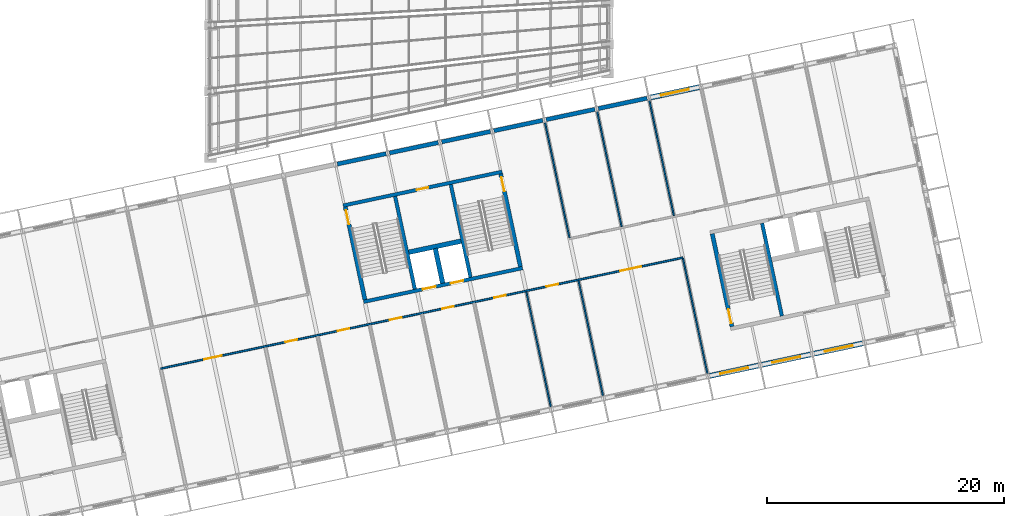
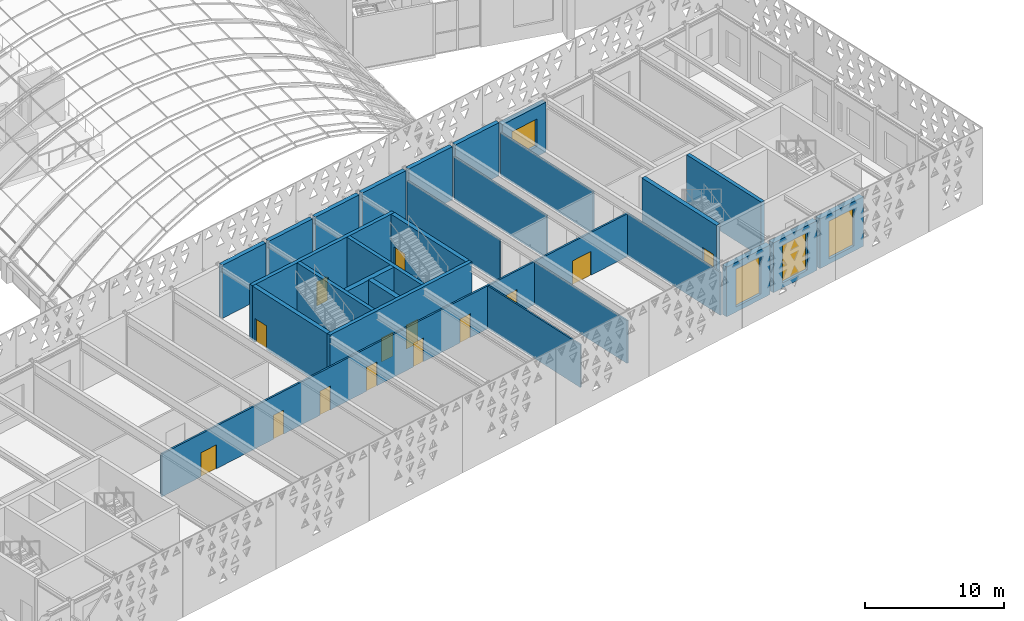
# One storey, part 132 of 182: 27 walls, 14 doors, 4 windows, 18 openings.
"""IFC4 building model written with IfcOpenShell, lengths in metres."""

from ifc_helpers import new_model, si_unit, direction, frame, frame_2d, origin, place, context, subcontext, project, spatial, rectangle, extrude, material, layer, layer_set, type_object, element, fill, save


model = new_model("IFC4")

# Units and contexts
model_context = context("Model", 3, precision=1e-05, world=origin(), true_north=direction((0.0, 1.0)))
body_context = subcontext(model_context, "Body", "Model", "MODEL_VIEW")
ifc_project = project(units=[si_unit("LENGTHUNIT", "METRE"), si_unit("AREAUNIT", "SQUARE_METRE"), si_unit("VOLUMEUNIT", "CUBIC_METRE"), si_unit("PLANEANGLEUNIT", "RADIAN"), si_unit("MASSUNIT", "GRAM", prefix="KILO")], contexts=[model_context])

# Site, building, storey
site_placement = place(None, origin())
site = spatial("IfcSite", under=ifc_project, at=site_placement, CompositionType="ELEMENT")
building_placement = place(site_placement, origin())
building = spatial("IfcBuilding", under=site, at=building_placement, Name="Okhra Congress Centre", CompositionType="ELEMENT")
storey_placement = place(building_placement, frame((0.0, 0.0, 7.199951171875)))
storey = spatial("IfcBuildingStorey", under=building, at=storey_placement, Name="L01", CompositionType="ELEMENT", Elevation=7.199951171875)

# Wall, opening, window
ifc_material_1 = material(Name="Insulated metal panel on steel stud (mineral wool, vapour barrier)", Category="steel")
ifc_layer_1 = layer(ifc_material_1, 0.449951171875)
ifc_layer_set_1 = layer_set([ifc_layer_1], Name="Insulated wall 450")
wall_type_1 = type_object("IfcWallType", Name="Insulated wall 450", PredefinedType="SOLIDWALL", material=ifc_layer_set_1)
wall_1_placement = place(storey_placement, frame((197.609375, 55.843994140625, 0.0), z_axis=(0.0, 0.0, 1.0), x_axis=(0.978143927149, 0.207928972925, 0.0)))
wall_1 = element("IfcWall", 1, at=wall_1_placement, inside=storey, type_object=wall_type_1, Name="External wall S32 L01", PredefinedType="SOLIDWALL", context=body_context, shape_type="SweptSolid", body=[
    extrude(rectangle(XDim=4.199951171875, YDim=0.449951171875, at=frame_2d((2.10009765625, 0.0))), origin(), (0.0, 0.0, 1.0), 4.35009765625),
])
opening_1_placement = place(wall_1_placement, frame((0.89990234375, 0.0, 0.449951171875)))
opening_1 = element("IfcOpeningElement", 2, at=opening_1_placement, cuts=wall_1, Name="Opening WN21", PredefinedType="OPENING", context=body_context, shape_type="SweptSolid", body=[
    extrude(rectangle(XDim=2.39990234375, YDim=3.300048828125, at=frame_2d((1.199951171875, 1.64990234375))), frame((0.0, 0.23486328125, 0.0), z_axis=(0.0, -1.0, 0.0), x_axis=(1.0, 0.0, 0.0)), (0.0, 0.0, 1.0), 0.469970703125),
])
ifc_material_2 = material(Name="Thermally broken aluminium frame, triple glazing", Category="aluminium")
window_type_1 = type_object("IfcWindowType", Name="Two-light window 2400x3300", PartitioningType="DOUBLE_PANEL_VERTICAL", PredefinedType="WINDOW", material=ifc_material_2)
window_1_placement = place(opening_1_placement, origin())
window_1 = element("IfcWindow", 3, at=window_1_placement, inside=storey, type_object=window_type_1, Name="BX.WIN.L01.32", OverallHeight=3.300048828125, OverallWidth=2.39990234375, PartitioningType="DOUBLE_PANEL_VERTICAL", PredefinedType="WINDOW", context=body_context, shape_type="SweptSolid", body=[
    extrude(rectangle(XDim=2.39990234375, YDim=3.300048828125, at=frame_2d((1.199951171875, 1.64990234375))), frame((0.0, 0.030029296875, 0.0), z_axis=(0.0, -1.0, 0.0), x_axis=(1.0, 0.0, 0.0)), (0.0, 0.0, 1.0), 0.06005859375),
])
fill(opening_1, window_1)

wall_2_placement = place(storey_placement, frame((202.010986328125, 56.77978515625, 0.0), z_axis=(0.0, 0.0, 1.0), x_axis=(0.978155748334, 0.207873355681, 0.0)))
wall_2 = element("IfcWall", 4, at=wall_2_placement, inside=storey, type_object=wall_type_1, Name="External wall S33 L01", PredefinedType="SOLIDWALL", context=body_context, shape_type="SweptSolid", body=[
    extrude(rectangle(XDim=4.199951171875, YDim=0.449951171875, at=frame_2d((2.10009765625, 0.0))), origin(), (0.0, 0.0, 1.0), 4.35009765625),
])
opening_2_placement = place(wall_2_placement, frame((0.89990234375, 0.0, 0.449951171875)))
opening_2 = element("IfcOpeningElement", 5, at=opening_2_placement, cuts=wall_2, Name="Opening WN21", PredefinedType="OPENING", context=body_context, shape_type="SweptSolid", body=[
    extrude(rectangle(XDim=2.39990234375, YDim=3.300048828125, at=frame_2d((1.199951171875, 1.64990234375))), frame((0.0, 0.23486328125, 0.0), z_axis=(0.0, -1.0, 0.0), x_axis=(1.0, 0.0, 0.0)), (0.0, 0.0, 1.0), 0.469970703125),
])
window_2_placement = place(opening_2_placement, origin())
window_2 = element("IfcWindow", 6, at=window_2_placement, inside=storey, type_object=window_type_1, Name="BX.WIN.L01.33", OverallHeight=3.300048828125, OverallWidth=2.39990234375, PartitioningType="DOUBLE_PANEL_VERTICAL", PredefinedType="WINDOW", context=body_context, shape_type="SweptSolid", body=[
    extrude(rectangle(XDim=2.39990234375, YDim=3.300048828125, at=frame_2d((1.199951171875, 1.64990234375))), frame((0.0, 0.030029296875, 0.0), z_axis=(0.0, -1.0, 0.0), x_axis=(1.0, 0.0, 0.0)), (0.0, 0.0, 1.0), 0.06005859375),
])
fill(opening_2, window_2)

wall_3_placement = place(storey_placement, frame((206.41259765625, 57.71533203125, 0.0), z_axis=(0.0, 0.0, 1.0), x_axis=(0.978143927149, 0.207928972925, 0.0)))
wall_3 = element("IfcWall", 7, at=wall_3_placement, inside=storey, type_object=wall_type_1, Name="External wall S34 L01", PredefinedType="SOLIDWALL", context=body_context, shape_type="SweptSolid", body=[
    extrude(rectangle(XDim=4.199951171875, YDim=0.449951171875, at=frame_2d((2.10009765625, 0.0))), origin(), (0.0, 0.0, 1.0), 4.35009765625),
])
opening_3_placement = place(wall_3_placement, frame((0.89990234375, 0.0, 0.449951171875)))
opening_3 = element("IfcOpeningElement", 8, at=opening_3_placement, cuts=wall_3, Name="Opening WN21", PredefinedType="OPENING", context=body_context, shape_type="SweptSolid", body=[
    extrude(rectangle(XDim=2.39990234375, YDim=3.300048828125, at=frame_2d((1.199951171875, 1.64990234375))), frame((0.0, 0.23486328125, 0.0), z_axis=(0.0, -1.0, 0.0), x_axis=(1.0, 0.0, 0.0)), (0.0, 0.0, 1.0), 0.469970703125),
])
window_3_placement = place(opening_3_placement, origin())
window_3 = element("IfcWindow", 9, at=window_3_placement, inside=storey, type_object=window_type_1, Name="BX.WIN.L01.34", OverallHeight=3.300048828125, OverallWidth=2.39990234375, PartitioningType="DOUBLE_PANEL_VERTICAL", PredefinedType="WINDOW", context=body_context, shape_type="SweptSolid", body=[
    extrude(rectangle(XDim=2.39990234375, YDim=3.300048828125, at=frame_2d((1.199951171875, 1.64990234375))), frame((0.0, 0.030029296875, 0.0), z_axis=(0.0, -1.0, 0.0), x_axis=(1.0, 0.0, 0.0)), (0.0, 0.0, 1.0), 0.06005859375),
])
fill(opening_3, window_3)

wall_4_placement = place(storey_placement, frame((192.619384765625, 79.319580078125, 0.0), z_axis=(0.0, 0.0, 1.0), x_axis=(0.978143927149, 0.207928972925, 0.0)))
wall_4 = element("IfcWall", 10, at=wall_4_placement, inside=storey, type_object=wall_type_1, Name="External wall N32 L01", PredefinedType="SOLIDWALL", context=body_context, shape_type="SweptSolid", body=[
    extrude(rectangle(XDim=4.199951171875, YDim=0.449951171875, at=frame_2d((2.10009765625, 0.0))), origin(), (0.0, 0.0, 1.0), 4.35009765625),
])
opening_4_placement = place(wall_4_placement, frame((0.89990234375, 0.0, 0.89990234375)))
opening_4 = element("IfcOpeningElement", 11, at=opening_4_placement, cuts=wall_4, Name="Opening WN22", PredefinedType="OPENING", context=body_context, shape_type="SweptSolid", body=[
    extrude(rectangle(XDim=2.39990234375, YDim=2.39990234375, at=frame_2d((1.199951171875, 1.199951171875))), frame((0.0, 0.23486328125, 0.0), z_axis=(0.0, -1.0, 0.0), x_axis=(1.0, 0.0, 0.0)), (0.0, 0.0, 1.0), 0.469970703125),
])
window_type_2 = type_object("IfcWindowType", Name="Fixed window 2400x2400", PartitioningType="SINGLE_PANEL", PredefinedType="WINDOW", material=ifc_material_2)
window_4_placement = place(opening_4_placement, origin())
window_4 = element("IfcWindow", 12, at=window_4_placement, inside=storey, type_object=window_type_2, Name="BX.WIN.L01.59", OverallHeight=2.39990234375, OverallWidth=2.39990234375, PartitioningType="SINGLE_PANEL", PredefinedType="WINDOW", context=body_context, shape_type="SweptSolid", body=[
    extrude(rectangle(XDim=2.39990234375, YDim=2.39990234375, at=frame_2d((1.199951171875, 1.199951171875))), frame((0.0, 0.030029296875, 0.0), z_axis=(0.0, -1.0, 0.0), x_axis=(1.0, 0.0, 0.0)), (0.0, 0.0, 1.0), 0.06005859375),
])
fill(opening_4, window_4)

# Walls
ifc_material_3 = material(Name="Gypsum board on steel studs", Category="steel")
ifc_layer_2 = layer(ifc_material_3, 0.125)
ifc_layer_set_2 = layer_set([ifc_layer_2], Name="Partition 125")
wall_type_2 = type_object("IfcWallType", Name="Partition 125", PredefinedType="PARTITIONING", material=ifc_layer_set_2)
for number, where, z_axis, x_axis, name in (
    (13, (184.210693359375, 53.22607421875, 0.0), (0.0, 0.0, 1.0), (-0.207904355568, 0.978149159861, 0.0), "Partition S L01"),
    (14, (188.612548828125, 54.161865234375, 0.0), (0.0, 0.0, 1.0), (-0.207932893358, 0.978143093754, 0.0), "Partition S L01"),
    (15, (197.415771484375, 56.032958984375, 0.0), (0.0, 0.0, 1.0), (-0.207904355568, 0.978149159861, 0.0), "Partition S L01"),
):
    element("IfcWall", number, at=place(storey_placement, frame(where, z_axis=z_axis, x_axis=x_axis)), inside=storey, type_object=wall_type_2, Name=name, PredefinedType="PARTITIONING", context=body_context, shape_type="SweptSolid", body=[
        extrude(rectangle(XDim=9.925048828125, YDim=0.125, at=frame_2d((4.96240234375, 0.0))), origin(), (0.0, 0.0, 1.0), 3.75),
    ])
wall_5_placement = place(storey_placement, frame((183.716064453125, 77.197265625, 0.0), z_axis=(0.0, 0.0, 1.0), x_axis=(0.207927890391, -0.978144157268, 0.0)))
element("IfcWall", 16, at=wall_5_placement, inside=storey, type_object=wall_type_2, Name="Partition N L01", PredefinedType="PARTITIONING", context=body_context, shape_type="SweptSolid", body=[
    extrude(rectangle(XDim=9.92529296875, YDim=0.125, at=frame_2d((4.962646484375, 0.0))), origin(), (0.0, 0.0, 1.0), 3.75),
])
ifc_layer_3 = layer(ifc_material_3, 0.125)
ifc_layer_set_3 = layer_set([ifc_layer_3], Name="Partition 125 EI 45")
wall_type_3 = type_object("IfcWallType", Name="Partition 125 EI 45", PredefinedType="PARTITIONING", material=ifc_layer_set_3)
wall_6_placement = place(storey_placement, frame((188.117919921875, 78.1328125, 0.0), z_axis=(0.0, 0.0, 1.0), x_axis=(0.207904355568, -0.978149159861, 0.0)))
element("IfcWall", 17, at=wall_6_placement, inside=storey, type_object=wall_type_3, Name="Partition N L01", PredefinedType="PARTITIONING", context=body_context, shape_type="SweptSolid", body=[
    extrude(rectangle(XDim=9.925048828125, YDim=0.125, at=frame_2d((4.96240234375, 0.0))), origin(), (0.0, 0.0, 1.0), 3.75),
])
wall_7_placement = place(storey_placement, frame((192.51953125, 79.068359375, 0.0), z_axis=(0.0, 0.0, 1.0), x_axis=(0.20790935802, -0.978148096582, 0.0)))
element("IfcWall", 18, at=wall_7_placement, inside=storey, type_object=wall_type_3, Name="Partition N L01", PredefinedType="PARTITIONING", context=body_context, shape_type="SweptSolid", body=[
    extrude(rectangle(XDim=9.9248046875, YDim=0.125, at=frame_2d((4.96240234375, 0.0))), origin(), (0.0, 0.0, 1.0), 3.75),
])

# Wall, openings, doors
ifc_layer_4 = layer(ifc_material_3, 0.14990234375)
ifc_layer_set_4 = layer_set([ifc_layer_4], Name="Partition 150 EI 15")
wall_type_4 = type_object("IfcWallType", Name="Partition 150 EI 15", PredefinedType="PARTITIONING", material=ifc_layer_set_4)
wall_8_placement = place(storey_placement, frame((151.320068359375, 56.45849609375, 0.0), z_axis=(0.0, 0.0, 1.0), x_axis=(0.97814787394, 0.207910405482, 0.0)))
wall_8 = element("IfcWall", 19, at=wall_8_placement, inside=storey, type_object=wall_type_4, Name="Corridor wall S2 L01", PredefinedType="PARTITIONING", context=body_context, shape_type="SweptSolid", body=[
    extrude(rectangle(XDim=45.0, YDim=0.14990234375, at=frame_2d((22.5, 0.0))), origin(), (0.0, 0.0, 1.0), 3.75),
])
opening_5_placement = place(wall_8_placement, frame((3.75, 0.0, 0.0)))
opening_5 = element("IfcOpeningElement", 20, at=opening_5_placement, cuts=wall_8, Name="Opening L01-127", PredefinedType="OPENING", context=body_context, shape_type="SweptSolid", body=[
    extrude(rectangle(XDim=1.5, YDim=2.10009765625, at=frame_2d((0.75, 1.050048828125))), frame((0.0, 0.0849609375, 0.0), z_axis=(0.0, -1.0, 0.0), x_axis=(1.0, 0.0, 0.0)), (0.0, 0.0, 1.0), 0.169921875),
])
opening_6_placement = place(wall_8_placement, frame((10.75, 0.0, 0.0)))
opening_6 = element("IfcOpeningElement", 21, at=opening_6_placement, cuts=wall_8, Name="Opening L01-128", PredefinedType="OPENING", context=body_context, shape_type="SweptSolid", body=[
    extrude(rectangle(XDim=1.0, YDim=2.10009765625, at=frame_2d((0.5, 1.050048828125))), frame((0.0, 0.0849609375, 0.0), z_axis=(0.0, -1.0, 0.0), x_axis=(1.0, 0.0, 0.0)), (0.0, 0.0, 1.0), 0.169921875),
])
opening_7_placement = place(wall_8_placement, frame((15.25, 0.0, 0.0)))
opening_7 = element("IfcOpeningElement", 22, at=opening_7_placement, cuts=wall_8, Name="Opening L01-129", PredefinedType="OPENING", context=body_context, shape_type="SweptSolid", body=[
    extrude(rectangle(XDim=1.0, YDim=2.10009765625, at=frame_2d((0.5, 1.050048828125))), frame((0.0, 0.0849609375, 0.0), z_axis=(0.0, -1.0, 0.0), x_axis=(1.0, 0.0, 0.0)), (0.0, 0.0, 1.0), 0.169921875),
])
opening_8_placement = place(wall_8_placement, frame((19.75, 0.0, 0.0)))
opening_8 = element("IfcOpeningElement", 23, at=opening_8_placement, cuts=wall_8, Name="Opening L01-130", PredefinedType="OPENING", context=body_context, shape_type="SweptSolid", body=[
    extrude(rectangle(XDim=1.0, YDim=2.10009765625, at=frame_2d((0.5, 1.050048828125))), frame((0.0, 0.0849609375, 0.0), z_axis=(0.0, -1.0, 0.0), x_axis=(1.0, 0.0, 0.0)), (0.0, 0.0, 1.0), 0.169921875),
])
opening_9_placement = place(wall_8_placement, frame((24.25, 0.0, 0.0)))
opening_9 = element("IfcOpeningElement", 24, at=opening_9_placement, cuts=wall_8, Name="Opening L01-131", PredefinedType="OPENING", context=body_context, shape_type="SweptSolid", body=[
    extrude(rectangle(XDim=1.0, YDim=2.10009765625, at=frame_2d((0.5, 1.050048828125))), frame((0.0, 0.0849609375, 0.0), z_axis=(0.0, -1.0, 0.0), x_axis=(1.0, 0.0, 0.0)), (0.0, 0.0, 1.0), 0.169921875),
])
opening_10_placement = place(wall_8_placement, frame((28.75, 0.0, 0.0)))
opening_10 = element("IfcOpeningElement", 25, at=opening_10_placement, cuts=wall_8, Name="Opening L01-132", PredefinedType="OPENING", context=body_context, shape_type="SweptSolid", body=[
    extrude(rectangle(XDim=1.0, YDim=2.10009765625, at=frame_2d((0.5, 1.050048828125))), frame((0.0, 0.0849609375, 0.0), z_axis=(0.0, -1.0, 0.0), x_axis=(1.0, 0.0, 0.0)), (0.0, 0.0, 1.0), 0.169921875),
])
opening_11_placement = place(wall_8_placement, frame((33.25, 0.0, 0.0)))
opening_11 = element("IfcOpeningElement", 26, at=opening_11_placement, cuts=wall_8, Name="Opening L01-133", PredefinedType="OPENING", context=body_context, shape_type="SweptSolid", body=[
    extrude(rectangle(XDim=1.0, YDim=2.10009765625, at=frame_2d((0.5, 1.050048828125))), frame((0.0, 0.0849609375, 0.0), z_axis=(0.0, -1.0, 0.0), x_axis=(1.0, 0.0, 0.0)), (0.0, 0.0, 1.0), 0.169921875),
])
opening_12_placement = place(wall_8_placement, frame((39.60009765625, 0.0, 0.0)))
opening_12 = element("IfcOpeningElement", 27, at=opening_12_placement, cuts=wall_8, Name="Opening L01-134", PredefinedType="OPENING", context=body_context, shape_type="SweptSolid", body=[
    extrude(rectangle(XDim=1.800048828125, YDim=2.10009765625, at=frame_2d((0.89990234375, 1.050048828125))), frame((0.0, 0.0849609375, 0.0), z_axis=(0.0, -1.0, 0.0), x_axis=(1.0, 0.0, 0.0)), (0.0, 0.0, 1.0), 0.169921875),
])
ifc_material_4 = material(Name="Timber door leaves in steel frame", Category="steel")
door_type_1 = type_object("IfcDoorType", Name="Double swing door 1500x2100", OperationType="NOTDEFINED", PredefinedType="DOOR", material=ifc_material_4)
door_1_placement = place(opening_5_placement, origin())
door_1 = element("IfcDoor", 28, at=door_1_placement, inside=storey, type_object=door_type_1, Name="Door L01-127", OperationType="DOUBLE_DOOR_SINGLE_SWING", OverallHeight=2.10009765625, OverallWidth=1.5, PredefinedType="DOOR", context=body_context, shape_type="SweptSolid", body=[
    extrude(rectangle(XDim=1.5, YDim=2.10009765625, at=frame_2d((0.75, 1.050048828125))), frame((0.0, 0.02490234375, 0.0), z_axis=(0.0, -1.0, 0.0), x_axis=(1.0, 0.0, 0.0)), (0.0, 0.0, 1.0), 0.050048828125),
])
fill(opening_5, door_1)
door_type_2 = type_object("IfcDoorType", Name="Double swing door 1800x2100", OperationType="NOTDEFINED", PredefinedType="DOOR", material=ifc_material_4)
door_2_placement = place(opening_12_placement, origin())
door_2 = element("IfcDoor", 29, at=door_2_placement, inside=storey, type_object=door_type_2, Name="Door L01-134", OperationType="DOUBLE_DOOR_SINGLE_SWING", OverallHeight=2.10009765625, OverallWidth=1.800048828125, PredefinedType="DOOR", context=body_context, shape_type="SweptSolid", body=[
    extrude(rectangle(XDim=1.800048828125, YDim=2.10009765625, at=frame_2d((0.89990234375, 1.050048828125))), frame((0.0, 0.02490234375, 0.0), z_axis=(0.0, -1.0, 0.0), x_axis=(1.0, 0.0, 0.0)), (0.0, 0.0, 1.0), 0.050048828125),
])
fill(opening_12, door_2)
ifc_material_5 = material(Name="Timber door leaf in steel frame", Category="steel")
door_type_3 = type_object("IfcDoorType", Name="Single swing door 1000x2100", OperationType="NOTDEFINED", PredefinedType="DOOR", material=ifc_material_5)
door_3_placement = place(opening_6_placement, frame((1.0, 0.0, 0.0), z_axis=(0.0, 0.0, 1.0), x_axis=(-1.0, 0.0, 0.0)))
door_3 = element("IfcDoor", 30, at=door_3_placement, inside=storey, type_object=door_type_3, Name="Door L01-128", OperationType="SINGLE_SWING_LEFT", OverallHeight=2.10009765625, OverallWidth=1.0, PredefinedType="DOOR", context=body_context, shape_type="SweptSolid", body=[
    extrude(rectangle(XDim=1.0, YDim=2.10009765625, at=frame_2d((0.5, 1.050048828125))), frame((0.0, 0.02490234375, 0.0), z_axis=(0.0, -1.0, 0.0), x_axis=(1.0, 0.0, 0.0)), (0.0, 0.0, 1.0), 0.050048828125),
])
fill(opening_6, door_3)
door_4_placement = place(opening_7_placement, frame((1.0, 0.0, 0.0), z_axis=(0.0, 0.0, 1.0), x_axis=(-1.0, 0.0, 0.0)))
door_4 = element("IfcDoor", 31, at=door_4_placement, inside=storey, type_object=door_type_3, Name="Door L01-129", OperationType="SINGLE_SWING_RIGHT", OverallHeight=2.10009765625, OverallWidth=1.0, PredefinedType="DOOR", context=body_context, shape_type="SweptSolid", body=[
    extrude(rectangle(XDim=1.0, YDim=2.10009765625, at=frame_2d((0.5, 1.050048828125))), frame((0.0, 0.02490234375, 0.0), z_axis=(0.0, -1.0, 0.0), x_axis=(1.0, 0.0, 0.0)), (0.0, 0.0, 1.0), 0.050048828125),
])
fill(opening_7, door_4)
door_5_placement = place(opening_8_placement, frame((1.0, 0.0, 0.0), z_axis=(0.0, 0.0, 1.0), x_axis=(-1.0, 0.0, 0.0)))
door_5 = element("IfcDoor", 32, at=door_5_placement, inside=storey, type_object=door_type_3, Name="Door L01-130", OperationType="SINGLE_SWING_LEFT", OverallHeight=2.10009765625, OverallWidth=1.0, PredefinedType="DOOR", context=body_context, shape_type="SweptSolid", body=[
    extrude(rectangle(XDim=1.0, YDim=2.10009765625, at=frame_2d((0.5, 1.050048828125))), frame((0.0, 0.02490234375, 0.0), z_axis=(0.0, -1.0, 0.0), x_axis=(1.0, 0.0, 0.0)), (0.0, 0.0, 1.0), 0.050048828125),
])
fill(opening_8, door_5)
door_6_placement = place(opening_9_placement, frame((1.0, 0.0, 0.0), z_axis=(0.0, 0.0, 1.0), x_axis=(-1.0, 0.0, 0.0)))
door_6 = element("IfcDoor", 33, at=door_6_placement, inside=storey, type_object=door_type_3, Name="Door L01-131", OperationType="SINGLE_SWING_RIGHT", OverallHeight=2.10009765625, OverallWidth=1.0, PredefinedType="DOOR", context=body_context, shape_type="SweptSolid", body=[
    extrude(rectangle(XDim=1.0, YDim=2.10009765625, at=frame_2d((0.5, 1.050048828125))), frame((0.0, 0.02490234375, 0.0), z_axis=(0.0, -1.0, 0.0), x_axis=(1.0, 0.0, 0.0)), (0.0, 0.0, 1.0), 0.050048828125),
])
fill(opening_9, door_6)
door_7_placement = place(opening_10_placement, frame((1.0, 0.0, 0.0), z_axis=(0.0, 0.0, 1.0), x_axis=(-1.0, 0.0, 0.0)))
door_7 = element("IfcDoor", 34, at=door_7_placement, inside=storey, type_object=door_type_3, Name="Door L01-132", OperationType="SINGLE_SWING_LEFT", OverallHeight=2.10009765625, OverallWidth=1.0, PredefinedType="DOOR", context=body_context, shape_type="SweptSolid", body=[
    extrude(rectangle(XDim=1.0, YDim=2.10009765625, at=frame_2d((0.5, 1.050048828125))), frame((0.0, 0.02490234375, 0.0), z_axis=(0.0, -1.0, 0.0), x_axis=(1.0, 0.0, 0.0)), (0.0, 0.0, 1.0), 0.050048828125),
])
fill(opening_10, door_7)
door_8_placement = place(opening_11_placement, frame((1.0, 0.0, 0.0), z_axis=(0.0, 0.0, 1.0), x_axis=(-1.0, 0.0, 0.0)))
door_8 = element("IfcDoor", 35, at=door_8_placement, inside=storey, type_object=door_type_3, Name="Door L01-133", OperationType="SINGLE_SWING_RIGHT", OverallHeight=2.10009765625, OverallWidth=1.0, PredefinedType="DOOR", context=body_context, shape_type="SweptSolid", body=[
    extrude(rectangle(XDim=1.0, YDim=2.10009765625, at=frame_2d((0.5, 1.050048828125))), frame((0.0, 0.02490234375, 0.0), z_axis=(0.0, -1.0, 0.0), x_axis=(1.0, 0.0, 0.0)), (0.0, 0.0, 1.0), 0.050048828125),
])
fill(opening_11, door_8)

# Wall, opening, door
ifc_material_6 = material(Name="Concrete C35/45", Category="concrete")
ifc_layer_5 = layer(ifc_material_6, 0.300048828125)
ifc_layer_set_5 = layer_set([ifc_layer_5], Name="RC core wall 300 REI 120 C35/45")
wall_type_5 = type_object("IfcWallType", Name="RC core wall 300 REI 120 C35/45", PredefinedType="SHEAR", material=ifc_layer_set_5)
wall_9_placement = place(storey_placement, frame((166.69775390625, 70.2060546875, 0.0), z_axis=(0.0, 0.0, 1.0), x_axis=(0.978147662755, 0.20791139903, 0.0)))
wall_9 = element("IfcWall", 36, at=wall_9_placement, inside=storey, type_object=wall_type_5, Name="BX.WALL.L01.K4S", PredefinedType="SHEAR", context=body_context, shape_type="SweptSolid", body=[
    extrude(rectangle(XDim=13.699951171875, YDim=0.300048828125, at=frame_2d((6.85009765625, 0.0))), origin(), (0.0, 0.0, 1.0), 4.800048828125),
])
opening_13_placement = place(wall_9_placement, frame((6.35009765625, 0.0, 0.0)))
opening_13 = element("IfcOpeningElement", 37, at=opening_13_placement, cuts=wall_9, Name="Opening L01-116", PredefinedType="OPENING", context=body_context, shape_type="SweptSolid", body=[
    extrude(rectangle(XDim=1.0, YDim=2.10009765625, at=frame_2d((0.5, 1.050048828125))), frame((0.0, 0.159912109375, 0.0), z_axis=(0.0, -1.0, 0.0), x_axis=(1.0, 0.0, 0.0)), (0.0, 0.0, 1.0), 0.320068359375),
])
ifc_material_7 = material(Name="Steel fire door leaf in steel frame, intumescent seals", Category="steel")
door_type_4 = type_object("IfcDoorType", Name="Steel fire door 1000x2100 EI 30", OperationType="NOTDEFINED", PredefinedType="DOOR", material=ifc_material_7)
door_9_placement = place(opening_13_placement, frame((1.0, 0.0, 0.0), z_axis=(0.0, 0.0, 1.0), x_axis=(-1.0, 0.0, 0.0)))
door_9 = element("IfcDoor", 38, at=door_9_placement, inside=storey, type_object=door_type_4, Name="Door L01-116", OperationType="SINGLE_SWING_LEFT", OverallHeight=2.10009765625, OverallWidth=1.0, PredefinedType="DOOR", context=body_context, shape_type="SweptSolid", body=[
    extrude(rectangle(XDim=1.0, YDim=2.10009765625, at=frame_2d((0.5, 1.050048828125))), frame((0.0, 0.02490234375, 0.0), z_axis=(0.0, -1.0, 0.0), x_axis=(1.0, 0.0, 0.0)), (0.0, 0.0, 1.0), 0.050048828125),
])
fill(opening_13, door_9)

# Wall, openings, doors
wall_10_placement = place(storey_placement, frame((168.42333984375, 62.08740234375, 0.0), z_axis=(0.0, 0.0, 1.0), x_axis=(0.978147662755, 0.20791139903, 0.0)))
wall_10 = element("IfcWall", 39, at=wall_10_placement, inside=storey, type_object=wall_type_5, Name="BX.WALL.L01.K4T", PredefinedType="SHEAR", context=body_context, shape_type="SweptSolid", body=[
    extrude(rectangle(XDim=13.699951171875, YDim=0.300048828125, at=frame_2d((6.85009765625, 0.0))), origin(), (0.0, 0.0, 1.0), 4.800048828125),
])
opening_14_placement = place(wall_10_placement, frame((5.10009765625, 0.0, 0.0)))
opening_14 = element("IfcOpeningElement", 40, at=opening_14_placement, cuts=wall_10, Name="Opening L01-112", PredefinedType="OPENING", context=body_context, shape_type="SweptSolid", body=[
    extrude(rectangle(XDim=1.10009765625, YDim=2.10009765625, at=frame_2d((0.550048828125, 1.050048828125))), frame((0.0, 0.159912109375, 0.0), z_axis=(0.0, -1.0, 0.0), x_axis=(1.0, 0.0, 0.0)), (0.0, 0.0, 1.0), 0.320068359375),
])
opening_15_placement = place(wall_10_placement, frame((7.5, 0.0, 0.0)))
opening_15 = element("IfcOpeningElement", 41, at=opening_15_placement, cuts=wall_10, Name="Opening L01-113", PredefinedType="OPENING", context=body_context, shape_type="SweptSolid", body=[
    extrude(rectangle(XDim=1.10009765625, YDim=2.10009765625, at=frame_2d((0.550048828125, 1.050048828125))), frame((0.0, 0.159912109375, 0.0), z_axis=(0.0, -1.0, 0.0), x_axis=(1.0, 0.0, 0.0)), (0.0, 0.0, 1.0), 0.320068359375),
])
ifc_material_8 = material(Name="Stainless steel sliding landing door leaves", Category="steel")
door_type_5 = type_object("IfcDoorType", Name="Lift landing door 1100x2100 EI 30", OperationType="DOUBLE_DOOR_SLIDING", PredefinedType="DOOR", material=ifc_material_8)
door_10_placement = place(opening_14_placement, frame((1.10009765625, 0.0, 0.0), z_axis=(0.0, 0.0, 1.0), x_axis=(-1.0, 0.0, 0.0)))
door_10 = element("IfcDoor", 42, at=door_10_placement, inside=storey, type_object=door_type_5, Name="Door L01-112", OperationType="DOUBLE_DOOR_SLIDING", OverallHeight=2.10009765625, OverallWidth=1.10009765625, PredefinedType="DOOR", context=body_context, shape_type="SweptSolid", body=[
    extrude(rectangle(XDim=1.10009765625, YDim=2.10009765625, at=frame_2d((0.550048828125, 1.050048828125))), frame((0.0, 0.02490234375, 0.0), z_axis=(0.0, -1.0, 0.0), x_axis=(1.0, 0.0, 0.0)), (0.0, 0.0, 1.0), 0.050048828125),
])
fill(opening_14, door_10)
door_11_placement = place(opening_15_placement, frame((1.10009765625, 0.0, 0.0), z_axis=(0.0, 0.0, 1.0), x_axis=(-1.0, 0.0, 0.0)))
door_11 = element("IfcDoor", 43, at=door_11_placement, inside=storey, type_object=door_type_5, Name="Door L01-113", OperationType="DOUBLE_DOOR_SLIDING", OverallHeight=2.10009765625, OverallWidth=1.10009765625, PredefinedType="DOOR", context=body_context, shape_type="SweptSolid", body=[
    extrude(rectangle(XDim=1.10009765625, YDim=2.10009765625, at=frame_2d((0.550048828125, 1.050048828125))), frame((0.0, 0.02490234375, 0.0), z_axis=(0.0, -1.0, 0.0), x_axis=(1.0, 0.0, 0.0)), (0.0, 0.0, 1.0), 0.050048828125),
])
fill(opening_15, door_11)

# Walls
for number, where, z_axis, x_axis, name in (
    (44, (171.081787109375, 70.984619140625, 0.0), (0.0, 0.0, 1.0), (0.207915693476, -0.978146749934, 0.0), "BX.WALL.L01.K4P1"),
    (45, (175.77685546875, 71.982666015625, 0.0), (0.0, 0.0, 1.0), (0.207915693476, -0.978146749934, 0.0), "BX.WALL.L01.K4P2"),
    (46, (203.6923828125, 60.894287109375, 0.0), (0.0, 0.0, 1.0), (-0.207915693476, 0.978146749934, 0.0), "BX.WALL.L01.K5P1"),
):
    element("IfcWall", number, at=place(storey_placement, frame(where, z_axis=z_axis, x_axis=x_axis)), inside=storey, type_object=wall_type_5, Name=name, PredefinedType="SHEAR", context=body_context, shape_type="SweptSolid", body=[
        extrude(rectangle(XDim=8.0, YDim=0.300048828125, at=frame_2d((4.0, 0.0))), origin(), (0.0, 0.0, 1.0), 4.800048828125),
    ])
ifc_layer_6 = layer(ifc_material_6, 0.39990234375)
ifc_layer_set_6 = layer_set([ifc_layer_6], Name="RC core wall 400 REI 120 C35/45")
wall_type_6 = type_object("IfcWallType", Name="RC core wall 400 REI 120 C35/45", PredefinedType="SHEAR", material=ifc_layer_set_6)
wall_11_placement = place(storey_placement, frame((174.46875, 66.5927734375, 0.0), z_axis=(0.0, 0.0, 1.0), x_axis=(0.207933702079, -0.978142921837, 0.0)))
element("IfcWall", 47, at=wall_11_placement, inside=storey, type_object=wall_type_6, Name="BX.WALL.L01.K4D", PredefinedType="SHEAR", context=body_context, shape_type="SweptSolid", body=[
    extrude(rectangle(XDim=3.0, YDim=0.39990234375, at=frame_2d((1.5, 0.0))), origin(), (0.0, 0.0, 1.0), 4.800048828125),
])
wall_12_placement = place(storey_placement, frame((172.23681640625, 66.271728515625, 0.0), z_axis=(0.0, 0.0, 1.0), x_axis=(0.978149611564, 0.20790223038, 0.0)))
element("IfcWall", 48, at=wall_12_placement, inside=storey, type_object=wall_type_6, Name="BX.WALL.L01.K4R", PredefinedType="SHEAR", context=body_context, shape_type="SweptSolid", body=[
    extrude(rectangle(XDim=4.5, YDim=0.39990234375, at=frame_2d((2.25, 0.0))), origin(), (0.0, 0.0, 1.0), 4.800048828125),
])
ifc_material_9 = material(Name="Concrete C30/37", Category="concrete")
ifc_layer_7 = layer(ifc_material_9, 0.35009765625)
ifc_layer_set_7 = layer_set([ifc_layer_7], Name="RC fire wall 350 REI 150 C30/37")
wall_type_7 = type_object("IfcWallType", Name="RC fire wall 350 REI 150 C30/37", PredefinedType="SOLIDWALL", material=ifc_layer_set_7)
for number, where, z_axis, x_axis, name in (
    (49, (166.20947265625, 73.7060546875, 0.0), (0.0, 0.0, 1.0), (0.978143927149, 0.207928972925, 0.0), "Fire wall N26 L01"),
    (50, (170.611083984375, 74.6416015625, 0.0), (0.0, 0.0, 1.0), (0.978143927149, 0.207928972925, 0.0), "Fire wall N27 L01"),
):
    element("IfcWall", number, at=place(storey_placement, frame(where, z_axis=z_axis, x_axis=x_axis)), inside=storey, type_object=wall_type_7, Name=name, PredefinedType="SOLIDWALL", context=body_context, shape_type="SweptSolid", body=[
        extrude(rectangle(XDim=4.199951171875, YDim=0.35009765625, at=frame_2d((2.10009765625, 0.0))), origin(), (0.0, 0.0, 1.0), 4.650146484375),
    ])
wall_13_placement = place(storey_placement, frame((175.0126953125, 75.5771484375, 0.0), z_axis=(0.0, 0.0, 1.0), x_axis=(0.978146440129, 0.207917150959, 0.0)))
element("IfcWall", 51, at=wall_13_placement, inside=storey, type_object=wall_type_7, Name="Fire wall N28 L01", PredefinedType="SOLIDWALL", context=body_context, shape_type="SweptSolid", body=[
    extrude(rectangle(XDim=4.2001953125, YDim=0.35009765625, at=frame_2d((2.10009765625, 0.0))), origin(), (0.0, 0.0, 1.0), 4.650146484375),
])
for number, where, z_axis, x_axis, name in (
    (52, (179.41455078125, 76.512939453125, 0.0), (0.0, 0.0, 1.0), (0.978155748334, 0.207873355681, 0.0), "Fire wall N29 L01"),
    (53, (183.816162109375, 77.448486328125, 0.0), (0.0, 0.0, 1.0), (0.978143927149, 0.207928972925, 0.0), "Fire wall N30 L01"),
    (54, (188.2177734375, 78.384033203125, 0.0), (0.0, 0.0, 1.0), (0.978143927149, 0.207928972925, 0.0), "Fire wall N31 L01"),
):
    element("IfcWall", number, at=place(storey_placement, frame(where, z_axis=z_axis, x_axis=x_axis)), inside=storey, type_object=wall_type_7, Name=name, PredefinedType="SOLIDWALL", context=body_context, shape_type="SweptSolid", body=[
        extrude(rectangle(XDim=4.199951171875, YDim=0.35009765625, at=frame_2d((2.10009765625, 0.0))), origin(), (0.0, 0.0, 1.0), 4.650146484375),
    ])

# Wall, opening, door
ifc_layer_8 = layer(ifc_material_9, 0.35009765625)
ifc_layer_set_8 = layer_set([ifc_layer_8], Name="RC wall 350 REI 120 C30/37")
wall_type_8 = type_object("IfcWallType", Name="RC wall 350 REI 120 C30/37", PredefinedType="SOLIDWALL", material=ifc_layer_set_8)
wall_14_placement = place(storey_placement, frame((166.875732421875, 70.090576171875, 0.0), z_axis=(0.0, 0.0, 1.0), x_axis=(0.207915693476, -0.978146749934, 0.0)))
wall_14 = element("IfcWall", 55, at=wall_14_placement, inside=storey, type_object=wall_type_8, Name="BX.WALL.L01.K4W", PredefinedType="SOLIDWALL", context=body_context, shape_type="SweptSolid", body=[
    extrude(rectangle(XDim=8.0, YDim=0.35009765625, at=frame_2d((4.0, 0.0))), origin(), (0.0, 0.0, 1.0), 4.800048828125),
])
opening_16_placement = place(wall_14_placement, frame((0.300048828125, 0.0, 0.0)))
opening_16 = element("IfcOpeningElement", 56, at=opening_16_placement, cuts=wall_14, Name="Opening L01-114", PredefinedType="OPENING", context=body_context, shape_type="SweptSolid", body=[
    extrude(rectangle(XDim=1.199951171875, YDim=2.10009765625, at=frame_2d((0.60009765625, 1.050048828125))), frame((0.0, 0.18505859375, 0.0), z_axis=(0.0, -1.0, 0.0), x_axis=(1.0, 0.0, 0.0)), (0.0, 0.0, 1.0), 0.3701171875),
])
door_type_6 = type_object("IfcDoorType", Name="Steel fire door 1200x2100 EI 30", OperationType="NOTDEFINED", PredefinedType="DOOR", material=ifc_material_7)
door_12_placement = place(opening_16_placement, frame((1.199951171875, 0.0, 0.0), z_axis=(0.0, 0.0, 1.0), x_axis=(-1.0, 0.0, 0.0)))
door_12 = element("IfcDoor", 57, at=door_12_placement, inside=storey, type_object=door_type_6, Name="Door L01-114", OperationType="SINGLE_SWING_RIGHT", OverallHeight=2.10009765625, OverallWidth=1.199951171875, PredefinedType="DOOR", context=body_context, shape_type="SweptSolid", body=[
    extrude(rectangle(XDim=1.199951171875, YDim=2.10009765625, at=frame_2d((0.60009765625, 1.050048828125))), frame((0.0, 0.02490234375, 0.0), z_axis=(0.0, -1.0, 0.0), x_axis=(1.0, 0.0, 0.0)), (0.0, 0.0, 1.0), 0.050048828125),
])
fill(opening_16, door_12)

wall_15_placement = place(storey_placement, frame((179.98291015625, 72.87646484375, 0.0), z_axis=(0.0, 0.0, 1.0), x_axis=(0.207915693476, -0.978146749934, 0.0)))
wall_15 = element("IfcWall", 58, at=wall_15_placement, inside=storey, type_object=wall_type_8, Name="BX.WALL.L01.K4E", PredefinedType="SOLIDWALL", context=body_context, shape_type="SweptSolid", body=[
    extrude(rectangle(XDim=8.0, YDim=0.35009765625, at=frame_2d((4.0, 0.0))), origin(), (0.0, 0.0, 1.0), 4.800048828125),
])
opening_17_placement = place(wall_15_placement, frame((0.300048828125, 0.0, 0.0)))
opening_17 = element("IfcOpeningElement", 59, at=opening_17_placement, cuts=wall_15, Name="Opening L01-115", PredefinedType="OPENING", context=body_context, shape_type="SweptSolid", body=[
    extrude(rectangle(XDim=1.199951171875, YDim=2.10009765625, at=frame_2d((0.60009765625, 1.050048828125))), frame((0.0, 0.18505859375, 0.0), z_axis=(0.0, -1.0, 0.0), x_axis=(1.0, 0.0, 0.0)), (0.0, 0.0, 1.0), 0.3701171875),
])
door_13_placement = place(opening_17_placement, origin())
door_13 = element("IfcDoor", 60, at=door_13_placement, inside=storey, type_object=door_type_6, Name="Door L01-115", OperationType="SINGLE_SWING_RIGHT", OverallHeight=2.10009765625, OverallWidth=1.199951171875, PredefinedType="DOOR", context=body_context, shape_type="SweptSolid", body=[
    extrude(rectangle(XDim=1.199951171875, YDim=2.10009765625, at=frame_2d((0.60009765625, 1.050048828125))), frame((0.0, 0.02490234375, 0.0), z_axis=(0.0, -1.0, 0.0), x_axis=(1.0, 0.0, 0.0)), (0.0, 0.0, 1.0), 0.050048828125),
])
fill(opening_17, door_13)

wall_16_placement = place(storey_placement, frame((199.486328125, 60.000244140625, 0.0), z_axis=(0.0, 0.0, 1.0), x_axis=(-0.207915693476, 0.978146749934, 0.0)))
wall_16 = element("IfcWall", 61, at=wall_16_placement, inside=storey, type_object=wall_type_8, Name="BX.WALL.L01.K5W", PredefinedType="SOLIDWALL", context=body_context, shape_type="SweptSolid", body=[
    extrude(rectangle(XDim=8.0, YDim=0.35009765625, at=frame_2d((4.0, 0.0))), origin(), (0.0, 0.0, 1.0), 4.800048828125),
])
opening_18_placement = place(wall_16_placement, frame((0.300048828125, 0.0, 0.0)))
opening_18 = element("IfcOpeningElement", 62, at=opening_18_placement, cuts=wall_16, Name="Opening L01-119", PredefinedType="OPENING", context=body_context, shape_type="SweptSolid", body=[
    extrude(rectangle(XDim=1.199951171875, YDim=2.10009765625, at=frame_2d((0.60009765625, 1.050048828125))), frame((0.0, 0.18505859375, 0.0), z_axis=(0.0, -1.0, 0.0), x_axis=(1.0, 0.0, 0.0)), (0.0, 0.0, 1.0), 0.3701171875),
])
door_14_placement = place(opening_18_placement, origin())
door_14 = element("IfcDoor", 63, at=door_14_placement, inside=storey, type_object=door_type_6, Name="Door L01-119", OperationType="SINGLE_SWING_LEFT", OverallHeight=2.10009765625, OverallWidth=1.199951171875, PredefinedType="DOOR", context=body_context, shape_type="SweptSolid", body=[
    extrude(rectangle(XDim=1.199951171875, YDim=2.10009765625, at=frame_2d((0.60009765625, 1.050048828125))), frame((0.0, 0.02490234375, 0.0), z_axis=(0.0, -1.0, 0.0), x_axis=(1.0, 0.0, 0.0)), (0.0, 0.0, 1.0), 0.050048828125),
])
fill(opening_18, door_14)

save(model, "model.ifc")
